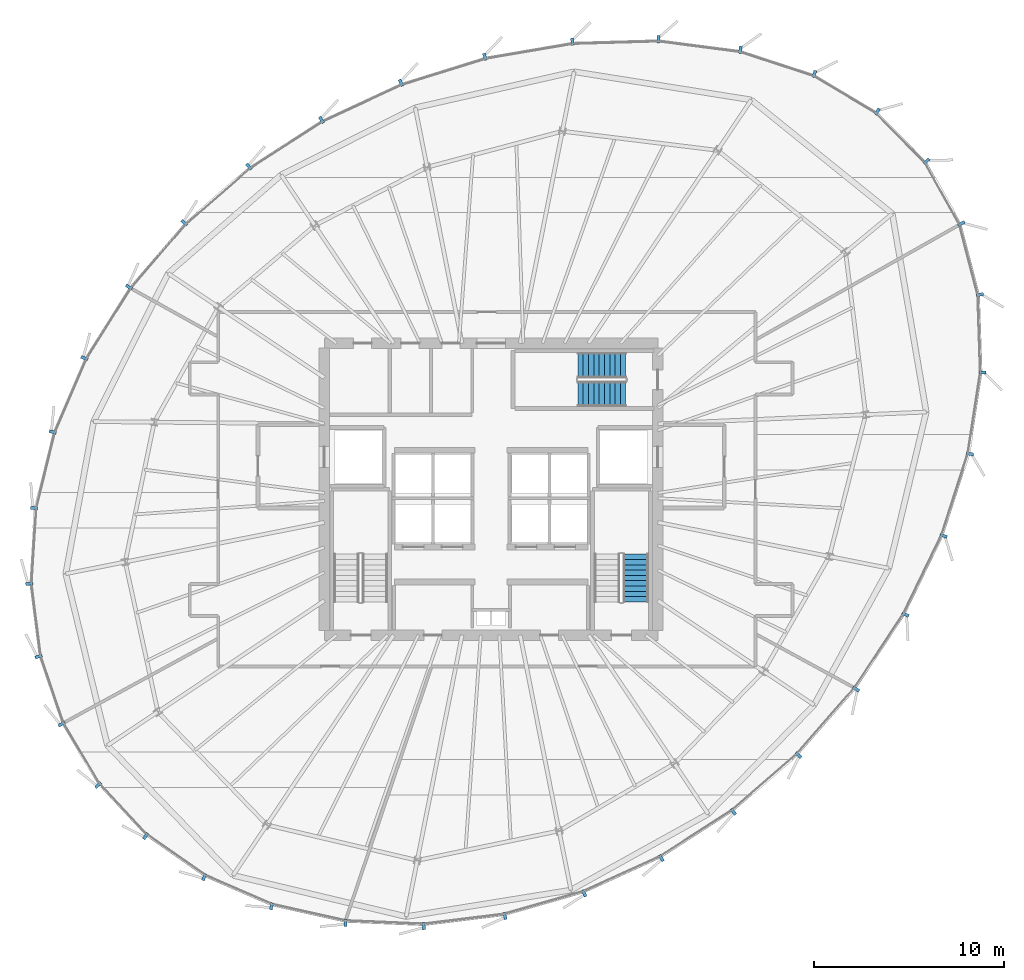
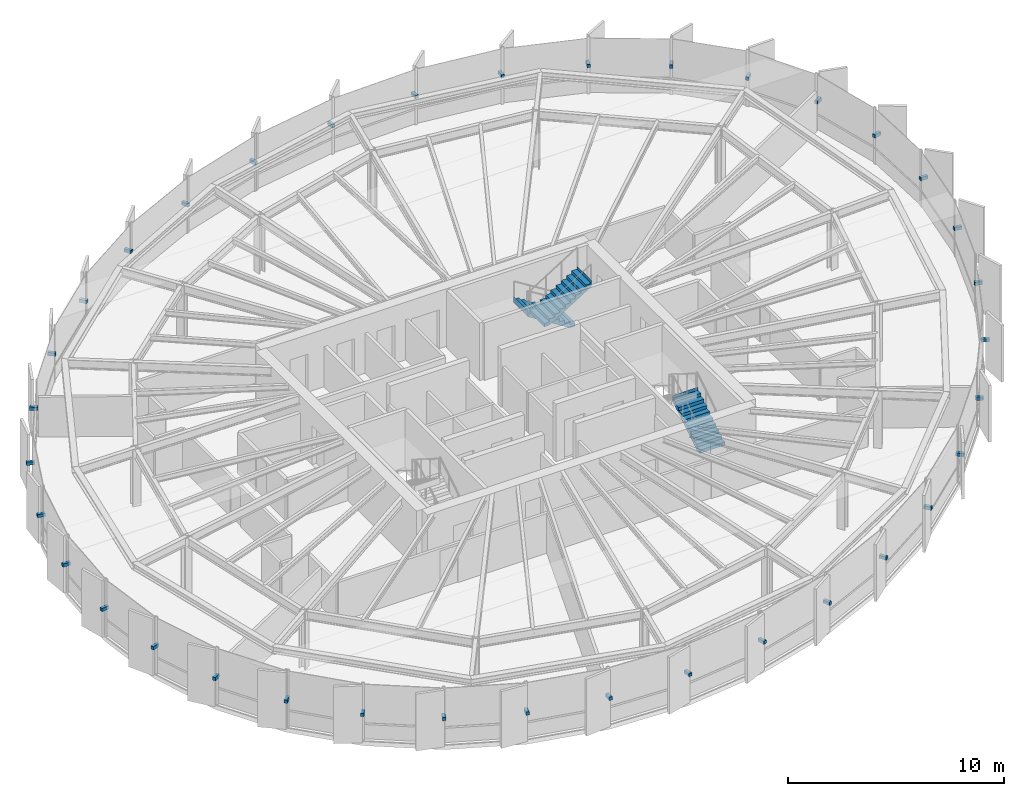
# One storey, part 31 of 34: 36 discrete accessories, 3 stair flights, 2 elements without a shape of their own.
"""IFC4 building model written with IfcOpenShell, lengths in metres."""

from ifc_helpers import new_model, si_unit, direction, frame, origin, origin_2d, place, context, subcontext, project, spatial, polyline, rectangle, outline, extrude, source, transform, mapped, material, type_object, element, aggregate, save


model = new_model("IFC4")

# Units and contexts
model_context = context("Model", 3, precision=1e-05, world=origin(), true_north=direction((0.0, 1.0)))
body_context = subcontext(model_context, "Body", "Model", "MODEL_VIEW")
ifc_project = project(units=[si_unit("LENGTHUNIT", "METRE"), si_unit("AREAUNIT", "SQUARE_METRE"), si_unit("VOLUMEUNIT", "CUBIC_METRE"), si_unit("PLANEANGLEUNIT", "RADIAN"), si_unit("MASSUNIT", "GRAM", prefix="KILO"), si_unit("THERMODYNAMICTEMPERATUREUNIT", "KELVIN")], contexts=[model_context])

# Site, building, storey
site_placement = place(None, origin())
site = spatial("IfcSite", under=ifc_project, at=site_placement, CompositionType="ELEMENT")
building_placement = place(site_placement, origin())
building = spatial("IfcBuilding", under=site, at=building_placement, Name="Kethvar Cultural Tower", CompositionType="ELEMENT")
storey_placement = place(building_placement, frame((0.0, 0.0, 183.39990234375)))
storey = spatial("IfcBuildingStorey", under=building, at=storey_placement, Name="L47", CompositionType="ELEMENT", Elevation=183.39990234375)

# Stair, stair flight
ifc_material_1 = material(Name="Concrete C40/50", Category="concrete")
stair_type = type_object("IfcStairType", Name="ST-DOGLEG-135", PredefinedType="HALF_TURN_STAIR", material=ifc_material_1)
stair_1_placement = place(storey_placement, origin())
stair_1 = element("IfcStair", 1, at=stair_1_placement, inside=storey, type_object=stair_type, Name="L47 Core Exit Stair 2", PredefinedType="HALF_TURN_STAIR")
stair_flight_type = type_object("IfcStairFlightType", Name="FL-STRAIGHT-135", PredefinedType="STRAIGHT", material=ifc_material_1)
stair_flight_1_placement = place(storey_placement, frame((54.43505859375, 21.85009765625, 0.0), z_axis=(0.0, 0.0, 1.0), x_axis=(0.0, 1.0, 0.0)))
stair_flight_1 = element("IfcStairFlight", 2, at=stair_flight_1_placement, type_object=stair_flight_type, Name="ST-02 flight 1", NumberOfRisers=10, NumberOfTreads=9, PredefinedType="STRAIGHT", RiserHeight=0.175, TreadLength=0.28, context=body_context, shape_type="SweptSolid", body=[
    extrude(outline(polyline([(-0.0009765625, -0.0009765625), (-0.0009765625, 0.175048828125), (0.280029296875, 0.175048828125), (0.280029296875, 0.35009765625), (0.56005859375, 0.35009765625), (0.56005859375, 0.52490234375), (0.840087890625, 0.52490234375), (0.840087890625, 0.699951171875), (1.1201171875, 0.699951171875), (1.1201171875, 0.875), (1.39990234375, 0.875), (1.39990234375, 1.050048828125), (1.679931640625, 1.050048828125), (1.679931640625, 1.22509765625), (1.9599609375, 1.22509765625), (1.9599609375, 1.39990234375), (2.239990234375, 1.39990234375), (2.239990234375, 1.574951171875), (2.52001953125, 1.574951171875), (2.52001953125, 1.75), (2.52099609375, 1.75), (2.52099609375, 1.398193359375), (0.28271484375, 0.0), (0.0, -0.0009765625), (-0.0009765625, -0.0009765625)])), frame((0.0, 0.675048828125, 0.0), z_axis=(0.0, -1.0, 0.0), x_axis=(1.0, 0.0, 0.0)), (0.0, 0.0, 1.0), 1.35009765625),
])
aggregate(stair_1, [stair_flight_1])

# Stair, stair flights
stair_2_placement = place(storey_placement, origin())
stair_2 = element("IfcStair", 3, at=stair_2_placement, inside=storey, type_object=stair_type, Name="L47 Core Exit Stair 3", PredefinedType="HALF_TURN_STAIR")
stair_flight_2_placement = place(storey_placement, frame((53.89990234375, 34.3349609375, 0.0), z_axis=(0.0, 0.0, 1.0), x_axis=(-1.0, 0.0, 0.0)))
stair_flight_2 = element("IfcStairFlight", 4, at=stair_flight_2_placement, type_object=stair_flight_type, Name="ST-03 flight 1", NumberOfRisers=10, NumberOfTreads=9, PredefinedType="STRAIGHT", RiserHeight=0.175, TreadLength=0.28, context=body_context, shape_type="SweptSolid", body=[
    extrude(outline(polyline([(-0.0009765625, -0.0009765625), (-0.0009765625, 0.175048828125), (0.280029296875, 0.175048828125), (0.280029296875, 0.35009765625), (0.56005859375, 0.35009765625), (0.56005859375, 0.52490234375), (0.840087890625, 0.52490234375), (0.840087890625, 0.699951171875), (1.1201171875, 0.699951171875), (1.1201171875, 0.875), (1.39990234375, 0.875), (1.39990234375, 1.050048828125), (1.679931640625, 1.050048828125), (1.679931640625, 1.22509765625), (1.9599609375, 1.22509765625), (1.9599609375, 1.39990234375), (2.239990234375, 1.39990234375), (2.239990234375, 1.574951171875), (2.52001953125, 1.574951171875), (2.52001953125, 1.75), (2.52099609375, 1.75), (2.52099609375, 1.398193359375), (0.28271484375, 0.0), (0.0, -0.0009765625), (-0.0009765625, -0.0009765625)])), frame((0.0, 0.675048828125, 0.0), z_axis=(0.0, -1.0, 0.0), x_axis=(1.0, 0.0, 0.0)), (0.0, 0.0, 1.0), 1.35009765625),
])
stair_flight_3_placement = place(storey_placement, frame((51.3798828125, 32.824951171875, 1.75), z_axis=(0.0, 0.0, 1.0), x_axis=(1.0, 0.0, 0.0)))
stair_flight_3 = element("IfcStairFlight", 5, at=stair_flight_3_placement, type_object=stair_flight_type, Name="ST-03 flight 2", NumberOfRisers=10, NumberOfTreads=9, PredefinedType="STRAIGHT", RiserHeight=0.175, TreadLength=0.28, context=body_context, shape_type="SweptSolid", body=[
    extrude(outline(polyline([(-0.0009765625, -0.0009765625), (-0.0009765625, 0.175048828125), (0.280029296875, 0.175048828125), (0.280029296875, 0.35009765625), (0.56005859375, 0.35009765625), (0.56005859375, 0.52490234375), (0.840087890625, 0.52490234375), (0.840087890625, 0.699951171875), (1.1201171875, 0.699951171875), (1.1201171875, 0.875), (1.39990234375, 0.875), (1.39990234375, 1.050048828125), (1.679931640625, 1.050048828125), (1.679931640625, 1.22509765625), (1.9599609375, 1.22509765625), (1.9599609375, 1.39990234375), (2.239990234375, 1.39990234375), (2.239990234375, 1.574951171875), (2.52001953125, 1.574951171875), (2.52001953125, 1.75), (2.52099609375, 1.75), (2.52099609375, 1.398193359375), (0.28271484375, 0.0), (0.0, -0.0009765625), (-0.0009765625, -0.0009765625)])), frame((0.0, 0.675048828125, 0.0), z_axis=(0.0, -1.0, 0.0), x_axis=(1.0, 0.0, 0.0)), (0.0, 0.0, 1.0), 1.35009765625),
])
aggregate(stair_2, [stair_flight_2, stair_flight_3])

# Discrete accessories
ifc_material_2 = material(Name="Steel S355J2", Category="steel")
discrete_accessory_type = type_object("IfcDiscreteAccessoryType", Name="Steel Fin Bracket BRK-01", PredefinedType="BRACKET", material=ifc_material_2)
shared_shape = source(origin(), body_context, "Body", "SweptSolid", [
    extrude(rectangle(XDim=0.3798828125, YDim=0.159912109375, at=origin_2d()), origin(), (0.0, 0.0, 1.0), 0.179931640625),
])
for number, where, z_axis, x_axis, name in (
    (6, (69.7724609375, 45.098388671875, 1.5400390625), (0.0, 0.0, 1.0), (0.712026045991, 0.702153052995, 0.0), "L47 Terracotta Fin Bracket 1.1"),
    (7, (67.180419921875, 47.7265625, 1.5400390625), (0.0, 0.0, 1.0), (0.512042864871, 0.858959896931, 0.0), "L47 Terracotta Fin Bracket 1.2"),
    (8, (63.852783203125, 49.710205078125, 1.5400390625), (0.0, 0.0, 1.0), (0.310510528609, 0.950569940416, 0.0), "L47 Terracotta Fin Bracket 1.3"),
    (9, (59.9501953125, 50.984619140625, 1.5400390625), (0.0, 0.0, 1.0), (0.129141747261, 0.991626143823, 0.0), "L47 Terracotta Fin Bracket 1.4"),
    (10, (55.63720703125, 51.546142578125, 1.5400390625), (0.0, 0.0, 1.0), (-0.028619491372, 0.999590378462, 0.0), "L47 Terracotta Fin Bracket 1.5"),
    (11, (51.0947265625, 51.416015625, 1.5400390625), (0.0, 0.0, 1.0), (-0.168489379565, 0.985703469089, 0.0), "L47 Terracotta Fin Bracket 1.6"),
    (12, (46.469970703125, 50.620361328125, 1.5400390625), (0.0, 0.0, 1.0), (-0.297541506743, 0.954708883255, 0.0), "L47 Terracotta Fin Bracket 2.1"),
    (13, (42.04345703125, 49.24072265625, 1.5400390625), (0.0, 0.0, 1.0), (-0.421510682766, 0.90682343613, 0.0), "L47 Terracotta Fin Bracket 2.2"),
    (14, (37.846435546875, 47.290283203125, 1.5400390625), (0.0, 0.0, 1.0), (-0.542148255651, 0.84028285053, 0.0), "L47 Terracotta Fin Bracket 2.3"),
    (15, (34.01953125, 44.821044921875, 1.5400390625), (0.0, 0.0, 1.0), (-0.656059028991, 0.754709580223, 0.0), "L47 Terracotta Fin Bracket 2.4"),
    (16, (30.608642578125, 41.855712890625, 1.5400390625), (0.0, 0.0, 1.0), (-0.758020512009, 0.652230713301, 0.0), "L47 Terracotta Fin Bracket 2.5"),
    (17, (27.689697265625, 38.463134765625, 1.5400390625), (0.0, 0.0, 1.0), (-0.846379123481, 0.532580866475, 0.0), "L47 Terracotta Fin Bracket 2.6"),
    (18, (25.3359375, 34.7109375, 1.5400390625), (0.0, 0.0, 1.0), (-0.918860091955, 0.394583491055, 0.0), "L47 Terracotta Fin Bracket 3.1"),
    (19, (23.66455078125, 30.819091796875, 1.5400390625), (0.0, 0.0, 1.0), (-0.971300571005, 0.237855419878, 0.0), "L47 Terracotta Fin Bracket 3.2"),
    (20, (22.680908203125, 26.7998046875, 1.5400390625), (0.0, 0.0, 1.0), (-0.998026728428, 0.062790519529, 0.0), "L47 Terracotta Fin Bracket 3.3"),
    (21, (22.4296875, 22.810791015625, 1.5400390625), (0.0, 0.0, 1.0), (-0.991960837494, -0.126545236492, 0.0), "L47 Terracotta Fin Bracket 3.4"),
    (22, (22.91943359375, 18.972900390625, 1.5400390625), (0.0, 0.0, 1.0), (-0.946649260116, -0.322265695231, 0.0), "L47 Terracotta Fin Bracket 3.5"),
    (23, (24.134765625, 15.403564453125, 1.5400390625), (0.0, 0.0, 1.0), (-0.858870515509, -0.512192773854, 0.0), "L47 Terracotta Fin Bracket 3.6"),
    (24, (26.065673828125, 12.182373046875, 1.5400390625), (0.0, 0.0, 1.0), (-0.731472721648, -0.681870704375, 0.0), "L47 Terracotta Fin Bracket 4.1"),
    (25, (28.57421875, 9.491943359375, 1.5400390625), (0.0, 0.0, 1.0), (-0.573576436351, -0.819152044289, 0.0), "L47 Terracotta Fin Bracket 4.2"),
    (26, (31.662841796875, 7.329345703125, 1.5400390625), (0.0, 0.0, 1.0), (-0.398268842755, -0.917268733191, 0.0), "L47 Terracotta Fin Bracket 4.3"),
    (27, (35.211669921875, 5.788818359375, 1.5400390625), (0.0, 0.0, 1.0), (-0.218143241397, -0.975916761939, 0.0), "L47 Terracotta Fin Bracket 4.4"),
    (28, (39.1123046875, 4.917236328125, 1.5400390625), (0.0, 0.0, 1.0), (-0.042573162788, -0.9990933519, 0.0), "L47 Terracotta Fin Bracket 4.5"),
    (29, (43.246337890625, 4.740966796875, 1.5400390625), (0.0, 0.0, 1.0), (0.122562241583, -0.992460828919, 0.0), "L47 Terracotta Fin Bracket 4.6"),
    (30, (47.52587890625, 5.27587890625, 1.5400390625), (0.0, 0.0, 1.0), (0.2753017954, -0.961357852961, 0.0), "L47 Terracotta Fin Bracket 5.1"),
    (31, (51.709716796875, 6.47412109375, 1.5400390625), (0.0, 0.0, 1.0), (0.414852054542, -0.909888879393, 0.0), "L47 Terracotta Fin Bracket 5.2"),
    (32, (55.781494140625, 8.330810546875, 1.5400390625), (0.0, 0.0, 1.0), (0.541708210283, -0.840566603496, 0.0), "L47 Terracotta Fin Bracket 5.3"),
    (33, (59.58056640625, 10.779052734375, 1.5400390625), (0.0, 0.0, 1.0), (0.655663774065, -0.755052988457, 0.0), "L47 Terracotta Fin Bracket 5.4"),
    (34, (63.019287109375, 13.765625, 1.5400390625), (0.0, 0.0, 1.0), (0.753219088147, -0.657769720534, 0.0), "L47 Terracotta Fin Bracket 5.5"),
    (35, (66.0634765625, 17.251708984375, 1.5400390625), (0.0, 0.0, 1.0), (0.83378947819, -0.552082517437, 0.0), "L47 Terracotta Fin Bracket 5.6"),
    (36, (68.661376953125, 21.18505859375, 1.5400390625), (0.0, 0.0, 1.0), (0.899557778955, -0.436801788368, 0.0), "L47 Terracotta Fin Bracket 6.1"),
    (37, (70.677001953125, 25.3369140625, 1.5400390625), (0.0, 0.0, 1.0), (0.951915745148, -0.306359942125, 0.0), "L47 Terracotta Fin Bracket 6.2"),
    (38, (72.069091796875, 29.66259765625, 1.5400390625), (0.0, 0.0, 1.0), (0.98828172337, -0.15264087019, 0.0), "L47 Terracotta Fin Bracket 6.3"),
    (39, (72.733154296875, 33.9619140625, 1.5400390625), (0.0, 0.0, 1.0), (0.99945598739, 0.032980740915, 0.0), "L47 Terracotta Fin Bracket 6.4"),
    (40, (72.597412109375, 38.065185546875, 1.5400390625), (0.0, 0.0, 1.0), (0.967709170482, 0.252069358243, 0.0), "L47 Terracotta Fin Bracket 6.5"),
    (41, (71.620361328125, 41.814208984375, 1.5400390625), (0.0, 0.0, 1.0), (0.87292207727, 0.487859659139, 0.0), "L47 Terracotta Fin Bracket 6.6"),
):
    element("IfcDiscreteAccessory", number, at=place(storey_placement, frame(where, z_axis=z_axis, x_axis=x_axis)), inside=storey, type_object=discrete_accessory_type, Name=name, PredefinedType="BRACKET", context=body_context, shape_type="MappedRepresentation", body=[
        mapped(shared_shape, transform((0.0, 0.0, 0.0), scale=1.0)),
    ])

save(model, "model.ifc")
